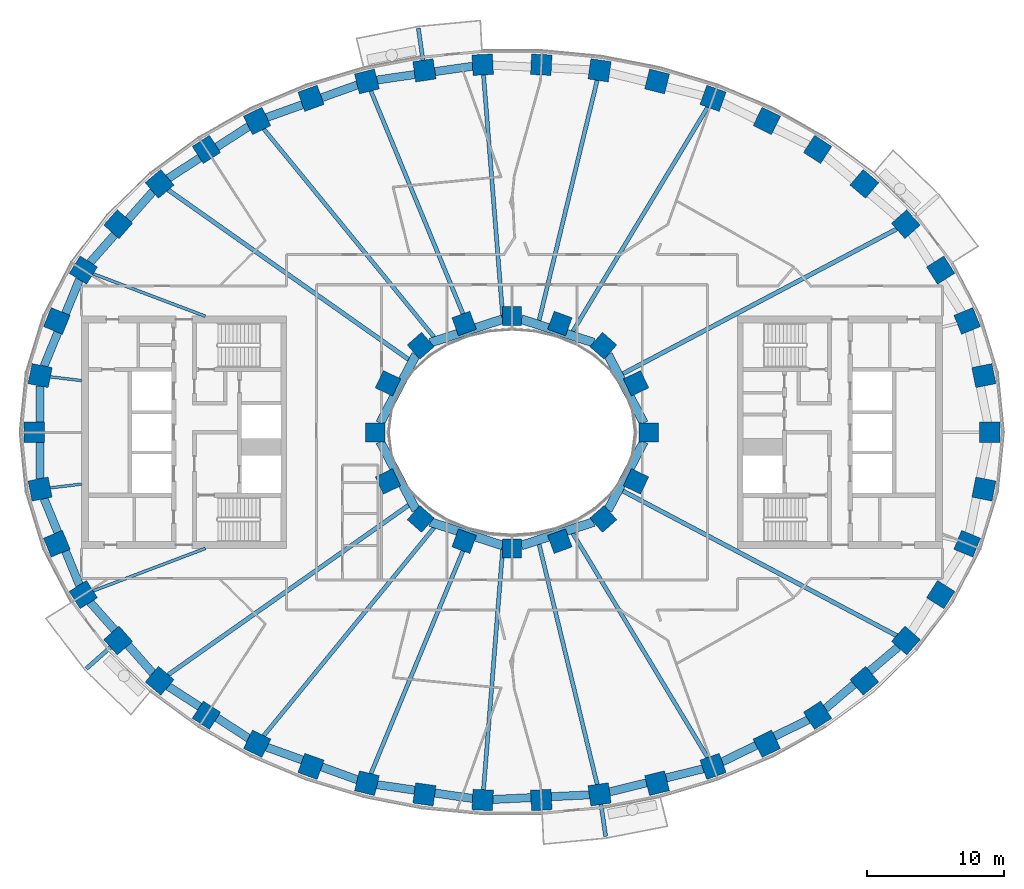
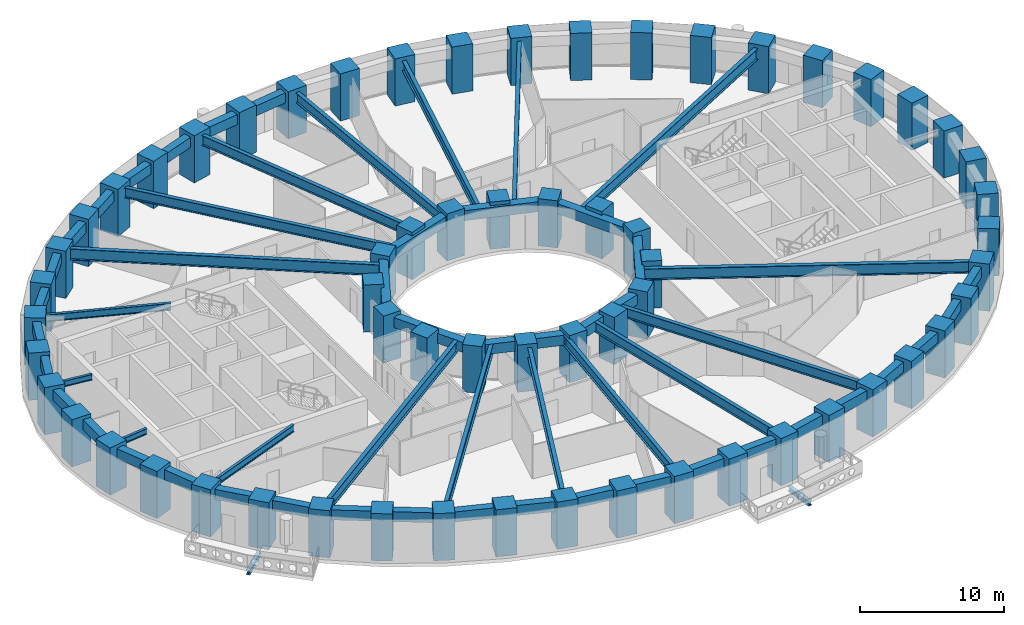
# One storey, part 1 of 16: 62 columns, 44 beams.
"""IFC4 building model written with IfcOpenShell, lengths in metres."""

from ifc_helpers import new_model, si_unit, direction, frame, origin, origin_2d, place, context, subcontext, project, spatial, rectangle, i_section, extrude, material, material_profile, profile_set, type_object, element, save


model = new_model("IFC4")

# Units and contexts
model_context = context("Model", 3, precision=1e-05, world=origin(), true_north=direction((0.0, 1.0)))
body_context = subcontext(model_context, "Body", "Model", "MODEL_VIEW")
ifc_project = project(units=[si_unit("LENGTHUNIT", "METRE"), si_unit("AREAUNIT", "SQUARE_METRE"), si_unit("VOLUMEUNIT", "CUBIC_METRE"), si_unit("PLANEANGLEUNIT", "RADIAN"), si_unit("MASSUNIT", "GRAM", prefix="KILO")], contexts=[model_context])

# Site, building, storey
site_placement = place(None, origin())
site = spatial("IfcSite", under=ifc_project, at=site_placement, CompositionType="ELEMENT")
building_placement = place(site_placement, origin())
building = spatial("IfcBuilding", under=site, at=building_placement, Name="Noorbagh Ring Tower", CompositionType="ELEMENT")
storey_placement = place(building_placement, frame((0.0, 0.0, 42.5)))
storey = spatial("IfcBuildingStorey", under=building, at=storey_placement, Name="L08", CompositionType="ELEMENT", Elevation=42.5)

# Columns
ifc_material_1 = material(Name="Concrete C70/85", Category="concrete")
ifc_material_profile_1 = material_profile(ifc_material_1, rectangle(XDim=1.5, YDim=1.5, at=origin_2d()), Name="RC1500x1500")
ifc_profile_set_1 = profile_set([ifc_material_profile_1], Name="Concrete C70/85")
column_type_1 = type_object("IfcColumnType", Name="STR-COL-RC1500x1500-C70-85", PredefinedType="COLUMN", material=ifc_profile_set_1)
for number, where, z_axis, x_axis, name in (
    (1, (34.944580078125, 0.0, 0.0), (0.0, 0.0, 1.0), (0.0, 1.0, 0.0), "L08/col/R1-01"),
    (2, (34.52685546875, 4.150634765625, 0.0), (0.0, 0.0, 1.0), (-0.19723040178, 0.9803571638, 0.0), "L08/col/R1-02"),
    (3, (33.30517578125, 8.1494140625, 0.0), (0.0, 0.0, 1.0), (-0.378989499959, 0.925400971969, 0.0), "L08/col/R1-03"),
    (4, (31.364990234375, 11.87109375, 0.0), (0.0, 0.0, 1.0), (-0.535190403059, 0.844731455833, 0.0), "L08/col/R1-04"),
    (5, (28.81884765625, 15.23046875, 0.0), (0.0, 0.0, 1.0), (-0.662635642662, 0.748941923699, 0.0), "L08/col/R1-05"),
    (6, (25.78271484375, 18.180419921875, 0.0), (0.0, 0.0, 1.0), (-0.763035199656, 0.646356932419, 0.0), "L08/col/R1-06"),
    (7, (22.362060546875, 20.699951171875, 0.0), (0.0, 0.0, 1.0), (-0.840247639643, 0.542202825586, 0.0), "L08/col/R1-07"),
    (8, (18.646240234375, 22.785400390625, 0.0), (0.0, 0.0, 1.0), (-0.898399080868, 0.439180021741, 0.0), "L08/col/R1-08"),
    (9, (14.70947265625, 24.44091796875, 0.0), (0.0, 0.0, 1.0), (-0.941024726094, 0.338337797003, 0.0), "L08/col/R1-09"),
    (10, (10.61328125, 25.673583984375, 0.0), (0.0, 0.0, 1.0), (-0.970829360981, 0.239771457553, 0.0), "L08/col/R1-10"),
    (11, (6.4091796875, 26.49072265625, 0.0), (0.0, 0.0, 1.0), (-0.989713114048, 0.143066249975, 0.0), "L08/col/R1-11"),
    (12, (2.14306640625, 26.89794921875, 0.0), (0.0, 0.0, 1.0), (-0.998868731212, 0.047552684538, 0.0), "L08/col/R1-12"),
    (13, (-2.14306640625, 26.89794921875, 0.0), (0.0, 0.0, 1.0), (-0.998868731212, -0.047552684538, 0.0), "L08/col/R1-13"),
    (14, (-6.4091796875, 26.49072265625, 0.0), (0.0, 0.0, 1.0), (-0.989713114048, -0.143066249975, 0.0), "L08/col/R1-14"),
    (15, (-10.61328125, 25.673583984375, 0.0), (0.0, 0.0, 1.0), (-0.970829360981, -0.239771457553, 0.0), "L08/col/R1-15"),
    (16, (-14.70947265625, 24.44091796875, 0.0), (0.0, 0.0, 1.0), (-0.941024726094, -0.338337797003, 0.0), "L08/col/R1-16"),
    (17, (-18.646240234375, 22.785400390625, 0.0), (0.0, 0.0, 1.0), (-0.898399080868, -0.439180021741, 0.0), "L08/col/R1-17"),
    (18, (-22.362060546875, 20.699951171875, 0.0), (0.0, 0.0, 1.0), (-0.840247639643, -0.542202825586, 0.0), "L08/col/R1-18"),
    (19, (-25.78271484375, 18.180419921875, 0.0), (0.0, 0.0, 1.0), (-0.763035199656, -0.646356932419, 0.0), "L08/col/R1-19"),
    (20, (-28.81884765625, 15.23046875, 0.0), (0.0, 0.0, 1.0), (-0.662635642662, -0.748941923699, 0.0), "L08/col/R1-20"),
    (21, (-31.364990234375, 11.87109375, 0.0), (0.0, 0.0, 1.0), (-0.535190403059, -0.844731455833, 0.0), "L08/col/R1-21"),
    (22, (-33.30517578125, 8.1494140625, 0.0), (0.0, 0.0, 1.0), (-0.378989499959, -0.925400971969, 0.0), "L08/col/R1-22"),
    (23, (-34.52685546875, 4.150634765625, 0.0), (0.0, 0.0, 1.0), (-0.19723040178, -0.9803571638, 0.0), "L08/col/R1-23"),
    (24, (-34.944580078125, 0.0, 0.0), (0.0, 0.0, 1.0), (0.0, -1.0, 0.0), "L08/col/R1-24"),
    (25, (-34.52685546875, -4.150634765625, 0.0), (0.0, 0.0, 1.0), (0.19723040178, -0.9803571638, 0.0), "L08/col/R1-25"),
    (26, (-33.30517578125, -8.1494140625, 0.0), (0.0, 0.0, 1.0), (0.378989499959, -0.925400971969, 0.0), "L08/col/R1-26"),
    (27, (-31.364990234375, -11.87109375, 0.0), (0.0, 0.0, 1.0), (0.535190403059, -0.844731455833, 0.0), "L08/col/R1-27"),
    (28, (-28.81884765625, -15.23046875, 0.0), (0.0, 0.0, 1.0), (0.662635642662, -0.748941923699, 0.0), "L08/col/R1-28"),
    (29, (-25.78271484375, -18.180419921875, 0.0), (0.0, 0.0, 1.0), (0.763035199656, -0.646356932419, 0.0), "L08/col/R1-29"),
    (30, (-22.362060546875, -20.699951171875, 0.0), (0.0, 0.0, 1.0), (0.840247639643, -0.542202825586, 0.0), "L08/col/R1-30"),
    (31, (-18.646240234375, -22.785400390625, 0.0), (0.0, 0.0, 1.0), (0.898399080868, -0.439180021741, 0.0), "L08/col/R1-31"),
    (32, (-14.70947265625, -24.44091796875, 0.0), (0.0, 0.0, 1.0), (0.941024726094, -0.338337797003, 0.0), "L08/col/R1-32"),
    (33, (-10.61328125, -25.673583984375, 0.0), (0.0, 0.0, 1.0), (0.970829360981, -0.239771457553, 0.0), "L08/col/R1-33"),
    (34, (-6.4091796875, -26.49072265625, 0.0), (0.0, 0.0, 1.0), (0.989713114048, -0.143066249975, 0.0), "L08/col/R1-34"),
    (35, (-2.14306640625, -26.89794921875, 0.0), (0.0, 0.0, 1.0), (0.998868731212, -0.047552684538, 0.0), "L08/col/R1-35"),
    (36, (2.14306640625, -26.89794921875, 0.0), (0.0, 0.0, 1.0), (0.998868731212, 0.047552684538, 0.0), "L08/col/R1-36"),
    (37, (6.4091796875, -26.49072265625, 0.0), (0.0, 0.0, 1.0), (0.989713114048, 0.143066249975, 0.0), "L08/col/R1-37"),
    (38, (10.61328125, -25.673583984375, 0.0), (0.0, 0.0, 1.0), (0.970829360981, 0.239771457553, 0.0), "L08/col/R1-38"),
    (39, (14.70947265625, -24.44091796875, 0.0), (0.0, 0.0, 1.0), (0.941024726094, 0.338337797003, 0.0), "L08/col/R1-39"),
    (40, (18.646240234375, -22.785400390625, 0.0), (0.0, 0.0, 1.0), (0.898399080868, 0.439180021741, 0.0), "L08/col/R1-40"),
    (41, (22.362060546875, -20.699951171875, 0.0), (0.0, 0.0, 1.0), (0.840247639643, 0.542202825586, 0.0), "L08/col/R1-41"),
    (42, (25.78271484375, -18.180419921875, 0.0), (0.0, 0.0, 1.0), (0.763035199656, 0.646356932419, 0.0), "L08/col/R1-42"),
    (43, (28.81884765625, -15.23046875, 0.0), (0.0, 0.0, 1.0), (0.662635642662, 0.748941923699, 0.0), "L08/col/R1-43"),
    (44, (31.364990234375, -11.87109375, 0.0), (0.0, 0.0, 1.0), (0.535190403059, 0.844731455833, 0.0), "L08/col/R1-44"),
    (45, (33.30517578125, -8.1494140625, 0.0), (0.0, 0.0, 1.0), (0.378989499959, 0.925400971969, 0.0), "L08/col/R1-45"),
    (46, (34.52685546875, -4.150634765625, 0.0), (0.0, 0.0, 1.0), (0.19723040178, 0.9803571638, 0.0), "L08/col/R1-46"),
):
    element("IfcColumn", number, at=place(storey_placement, frame(where, z_axis=z_axis, x_axis=x_axis)), inside=storey, type_object=column_type_1, Name=name, PredefinedType="COLUMN", context=body_context, shape_type="SweptSolid", body=[
        extrude(rectangle(XDim=1.5, YDim=1.5, at=origin_2d()), origin(), (0.0, 0.0, 1.0), 4.0),
    ])
ifc_material_2 = material(Name="Concrete C70/85", Category="concrete")
ifc_material_profile_2 = material_profile(ifc_material_2, rectangle(XDim=1.39990234375, YDim=1.39990234375, at=origin_2d()), Name="RC1400x1400")
ifc_profile_set_2 = profile_set([ifc_material_profile_2], Name="Concrete C70/85")
column_type_2 = type_object("IfcColumnType", Name="STR-ICOL-RC1400x1400-C70-85", PredefinedType="COLUMN", material=ifc_profile_set_2)
for number, where, z_axis, x_axis, name in (
    (47, (10.00830078125, 0.0, 0.0), (0.0, 0.0, 1.0), (0.0, 1.0, 0.0), "L08/col/IR2-W01"),
    (48, (9.07568359375, 3.58837890625, 0.0), (0.0, 0.0, 1.0), (-0.428666979171, 0.903462573087, 0.0), "L08/col/IR2-W03"),
    (49, (6.68212890625, 6.333740234375, 0.0), (0.0, 0.0, 1.0), (-0.75102249095, 0.660276622399, 0.0), "L08/col/IR2-W05"),
    (50, (3.5009765625, 7.967041015625, 0.0), (0.0, 0.0, 1.0), (-0.939019578916, 0.343863679984, 0.0), "L08/col/IR2-W07"),
    (51, (0.0, 8.5029296875, 0.0), (0.0, 0.0, 1.0), (-1.0, 0.0, 0.0), "L08/col/IR2-W09"),
    (52, (-3.5009765625, 7.967041015625, 0.0), (0.0, 0.0, 1.0), (-0.939019578916, -0.343863679984, 0.0), "L08/col/IR2-W11"),
    (53, (-6.68212890625, 6.333740234375, 0.0), (0.0, 0.0, 1.0), (-0.75102249095, -0.660276622399, 0.0), "L08/col/IR2-W13"),
    (54, (-9.07568359375, 3.58837890625, 0.0), (0.0, 0.0, 1.0), (-0.428666979171, -0.903462573087, 0.0), "L08/col/IR2-W15"),
    (55, (-10.00830078125, 0.0, 0.0), (0.0, 0.0, 1.0), (0.0, -1.0, 0.0), "L08/col/IR2-W17"),
    (56, (-9.07568359375, -3.58837890625, 0.0), (0.0, 0.0, 1.0), (0.428666979171, -0.903462573087, 0.0), "L08/col/IR2-W19"),
    (57, (-6.68212890625, -6.333740234375, 0.0), (0.0, 0.0, 1.0), (0.75102249095, -0.660276622399, 0.0), "L08/col/IR2-W21"),
    (58, (-3.5009765625, -7.967041015625, 0.0), (0.0, 0.0, 1.0), (0.939019578916, -0.343863679984, 0.0), "L08/col/IR2-W23"),
    (59, (0.0, -8.5029296875, 0.0), (0.0, 0.0, 1.0), (1.0, 0.0, 0.0), "L08/col/IR2-W25"),
    (60, (3.5009765625, -7.967041015625, 0.0), (0.0, 0.0, 1.0), (0.939019578916, 0.343863679984, 0.0), "L08/col/IR2-W27"),
    (61, (6.68212890625, -6.333740234375, 0.0), (0.0, 0.0, 1.0), (0.75102249095, 0.660276622399, 0.0), "L08/col/IR2-W29"),
    (62, (9.07568359375, -3.58837890625, 0.0), (0.0, 0.0, 1.0), (0.428666979171, 0.903462573087, 0.0), "L08/col/IR2-W31"),
):
    element("IfcColumn", number, at=place(storey_placement, frame(where, z_axis=z_axis, x_axis=x_axis)), inside=storey, type_object=column_type_2, Name=name, PredefinedType="COLUMN", context=body_context, shape_type="SweptSolid", body=[
        extrude(rectangle(XDim=1.39990234375, YDim=1.39990234375, at=origin_2d()), origin(), (0.0, 0.0, 1.0), 4.0),
    ])

# Beams
ifc_material_3 = material(Name="Steel S355", Category="steel")
ifc_material_profile_3 = material_profile(ifc_material_3, i_section(OverallWidth=0.300048828125, OverallDepth=0.39990234375, WebThickness=0.013427734375, FlangeThickness=0.02392578125, FilletRadius=0.027099609375, at=origin_2d()), Name="HEB400")
ifc_profile_set_3 = profile_set([ifc_material_profile_3], Name="Steel S355")
beam_type_1 = type_object("IfcBeamType", Name="STR-BALCONY-BRACKET-HEB400", PredefinedType="BEAM", material=ifc_profile_set_3)
beam_1_placement = place(storey_placement, frame((-6.513671875, 27.21337890625, -0.5), z_axis=(-0.143062628068, 0.989713637599, 0.0), x_axis=(-0.989713637599, -0.143062628068, 0.0)))
element("IfcBeam", 63, at=beam_1_placement, inside=storey, type_object=beam_type_1, Name="Balcony bracket beam BN04", PredefinedType="BEAM", context=body_context, shape_type="SweptSolid", body=[
    extrude(i_section(OverallWidth=0.300048828125, OverallDepth=0.39990234375, WebThickness=0.013427734375, FlangeThickness=0.02392578125, FilletRadius=0.027099609375, at=origin_2d()), origin(), (0.0, 0.0, 1.0), 2.373779296875),
])
beam_2_placement = place(storey_placement, frame((-29.36572265625, -15.714111328125, -0.5), z_axis=(-0.749031813993, -0.662534030542, 0.0), x_axis=(0.662534030542, -0.749031813993, 0.0)))
element("IfcBeam", 64, at=beam_2_placement, inside=storey, type_object=beam_type_1, Name="Balcony bracket beam BS01", PredefinedType="BEAM", context=body_context, shape_type="SweptSolid", body=[
    extrude(i_section(OverallWidth=0.300048828125, OverallDepth=0.39990234375, WebThickness=0.013427734375, FlangeThickness=0.02392578125, FilletRadius=0.027099609375, at=origin_2d()), origin(), (0.0, 0.0, 1.0), 2.37939453125),
])
beam_3_placement = place(storey_placement, frame((6.513671875, -27.21337890625, -0.5), z_axis=(0.143062628068, -0.989713637599, 0.0), x_axis=(0.989713637599, 0.143062628068, 0.0)))
element("IfcBeam", 65, at=beam_3_placement, inside=storey, type_object=beam_type_1, Name="Balcony bracket beam BS04", PredefinedType="BEAM", context=body_context, shape_type="SweptSolid", body=[
    extrude(i_section(OverallWidth=0.300048828125, OverallDepth=0.39990234375, WebThickness=0.013427734375, FlangeThickness=0.02392578125, FilletRadius=0.027099609375, at=origin_2d()), origin(), (0.0, 0.0, 1.0), 2.373779296875),
])
ifc_material_4 = material(Name="Steel S355", Category="steel")
ifc_material_profile_4 = material_profile(ifc_material_4, i_section(OverallWidth=0.199951171875, OverallDepth=0.5, WebThickness=0.01025390625, FlangeThickness=0.01611328125, FilletRadius=0.02099609375, at=origin_2d()), Name="IPE500")
ifc_profile_set_4 = profile_set([ifc_material_profile_4], Name="Steel S355")
beam_type_2 = type_object("IfcBeamType", Name="STR-RAD-IPE500", PredefinedType="BEAM", material=ifc_profile_set_4)
for number, where, z_axis, x_axis, name in (
    (66, (-33.799560546875, 4.063232421875, 3.449951171875), (0.992852090588, -0.119351272363, 0.0), (0.119351272363, 0.992852090588, 0.0), "L08/bm/RD23"),
    (67, (-33.799560546875, -4.063232421875, 3.449951171875), (0.992852090588, 0.119351272363, 0.0), (-0.119351272363, 0.992852090588, 0.0), "L08/bm/RD25"),
):
    element("IfcBeam", number, at=place(storey_placement, frame(where, z_axis=z_axis, x_axis=x_axis)), inside=storey, type_object=beam_type_2, Name=name, PredefinedType="BEAM", context=body_context, shape_type="SweptSolid", body=[
        extrude(i_section(OverallWidth=0.199951171875, OverallDepth=0.5, WebThickness=0.01025390625, FlangeThickness=0.01611328125, FilletRadius=0.02099609375, at=origin_2d()), origin(), (0.0, 0.0, 1.0), 2.3359375),
    ])
ifc_material_5 = material(Name="Steel S355", Category="steel")
ifc_material_profile_5 = material_profile(ifc_material_5, i_section(OverallWidth=0.219970703125, OverallDepth=0.60009765625, WebThickness=0.011962890625, FlangeThickness=0.01904296875, FilletRadius=0.02392578125, at=origin_2d()), Name="IPE600")
ifc_profile_set_5 = profile_set([ifc_material_profile_5], Name="Steel S355")
beam_type_3 = type_object("IfcBeamType", Name="STR-RAD-IPE600", PredefinedType="BEAM", material=ifc_profile_set_5)
for number, where, z_axis, x_axis, name in (
    (68, (-30.66748046875, 11.60693359375, 3.39990234375), (0.93525621499, -0.353971485184, 0.0), (0.353971485184, 0.93525621499, 0.0), "L08/bm/RD21"),
    (69, (-30.66748046875, -11.60693359375, 3.39990234375), (0.93525621499, 0.353971485184, 0.0), (-0.353971485184, 0.93525621499, 0.0), "L08/bm/RD27"),
):
    element("IfcBeam", number, at=place(storey_placement, frame(where, z_axis=z_axis, x_axis=x_axis)), inside=storey, type_object=beam_type_3, Name=name, PredefinedType="BEAM", context=body_context, shape_type="SweptSolid", body=[
        extrude(i_section(OverallWidth=0.219970703125, OverallDepth=0.60009765625, WebThickness=0.011962890625, FlangeThickness=0.01904296875, FilletRadius=0.02392578125, at=origin_2d()), origin(), (0.0, 0.0, 1.0), 8.79736328125),
    ])
ifc_material_6 = material(Name="Steel S355", Category="steel")
ifc_material_profile_6 = material_profile(ifc_material_6, i_section(OverallWidth=0.300048828125, OverallDepth=0.85009765625, WebThickness=0.013916015625, FlangeThickness=0.028076171875, at=origin_2d()), Name="PG850x300x14x28")
ifc_profile_set_6 = profile_set([ifc_material_profile_6], Name="Steel S355")
beam_type_4 = type_object("IfcBeamType", Name="STR-RAD-PG850x300x14x28", PredefinedType="BEAM", material=ifc_profile_set_6)
beam_4_placement = place(storey_placement, frame((14.325439453125, 23.802734375, 3.27490234375), z_axis=(-0.515656740038, -0.856795265191, 0.0), x_axis=(0.856795265191, -0.515656740038, 0.0)))
element("IfcBeam", 70, at=beam_4_placement, inside=storey, type_object=beam_type_4, Name="L08/bm/RD09", PredefinedType="BEAM", context=body_context, shape_type="SweptSolid", body=[
    extrude(i_section(OverallWidth=0.300048828125, OverallDepth=0.85009765625, WebThickness=0.013916015625, FlangeThickness=0.028076171875, at=origin_2d()), origin(), (0.0, 0.0, 1.0), 19.16552734375),
])
beam_5_placement = place(storey_placement, frame((6.23681640625, 25.778076171875, 3.27490234375), z_axis=(-0.235164261049, -0.971955642159, 0.0), x_axis=(0.971955642159, -0.235164261049, 0.0)))
element("IfcBeam", 71, at=beam_5_placement, inside=storey, type_object=beam_type_4, Name="L08/bm/RD11", PredefinedType="BEAM", context=body_context, shape_type="SweptSolid", body=[
    extrude(i_section(OverallWidth=0.300048828125, OverallDepth=0.85009765625, WebThickness=0.013916015625, FlangeThickness=0.028076171875, at=origin_2d()), origin(), (0.0, 0.0, 1.0), 18.104736328125),
])
beam_6_placement = place(storey_placement, frame((-2.085205078125, 26.169921875, 3.27490234375), z_axis=(0.079431823064, -0.996840300893, 0.0), x_axis=(0.996840300893, 0.079431823064, 0.0)))
element("IfcBeam", 72, at=beam_6_placement, inside=storey, type_object=beam_type_4, Name="L08/bm/RD13", PredefinedType="BEAM", context=body_context, shape_type="SweptSolid", body=[
    extrude(i_section(OverallWidth=0.300048828125, OverallDepth=0.85009765625, WebThickness=0.013916015625, FlangeThickness=0.028076171875, at=origin_2d()), origin(), (0.0, 0.0, 1.0), 18.05126953125),
])
beam_7_placement = place(storey_placement, frame((-10.3310546875, 24.9912109375, 3.27490234375), z_axis=(0.382027192106, -0.924151083152, 0.0), x_axis=(0.924151083152, 0.382027192106, 0.0)))
element("IfcBeam", 73, at=beam_7_placement, inside=storey, type_object=beam_type_4, Name="L08/bm/RD15", PredefinedType="BEAM", context=body_context, shape_type="SweptSolid", body=[
    extrude(i_section(OverallWidth=0.300048828125, OverallDepth=0.85009765625, WebThickness=0.013916015625, FlangeThickness=0.028076171875, at=origin_2d()), origin(), (0.0, 0.0, 1.0), 18.624267578125),
])
for number, where, z_axis, x_axis, name in (
    (74, (-18.1708984375, 22.20458984375, 3.27490234375), (0.633309388091, -0.773898713628, 0.0), (0.773898713628, 0.633309388091, 0.0), "L08/bm/RD17"),
    (75, (-18.1708984375, -22.20458984375, 3.27490234375), (0.633309388091, 0.773898713628, 0.0), (-0.773898713628, 0.633309388091, 0.0), "L08/bm/RD31"),
):
    element("IfcBeam", number, at=place(storey_placement, frame(where, z_axis=z_axis, x_axis=x_axis)), inside=storey, type_object=beam_type_4, Name=name, PredefinedType="BEAM", context=body_context, shape_type="SweptSolid", body=[
        extrude(i_section(OverallWidth=0.300048828125, OverallDepth=0.85009765625, WebThickness=0.013916015625, FlangeThickness=0.028076171875, at=origin_2d()), origin(), (0.0, 0.0, 1.0), 19.68212890625),
    ])
beam_8_placement = place(storey_placement, frame((-10.3310546875, -24.9912109375, 3.27490234375), z_axis=(0.382027192106, 0.924151083152, 0.0), x_axis=(-0.924151083152, 0.382027192106, 0.0)))
element("IfcBeam", 76, at=beam_8_placement, inside=storey, type_object=beam_type_4, Name="L08/bm/RD33", PredefinedType="BEAM", context=body_context, shape_type="SweptSolid", body=[
    extrude(i_section(OverallWidth=0.300048828125, OverallDepth=0.85009765625, WebThickness=0.013916015625, FlangeThickness=0.028076171875, at=origin_2d()), origin(), (0.0, 0.0, 1.0), 18.624267578125),
])
beam_9_placement = place(storey_placement, frame((-2.085205078125, -26.169921875, 3.27490234375), z_axis=(0.079431823064, 0.996840300893, 0.0), x_axis=(-0.996840300893, 0.079431823064, 0.0)))
element("IfcBeam", 77, at=beam_9_placement, inside=storey, type_object=beam_type_4, Name="L08/bm/RD35", PredefinedType="BEAM", context=body_context, shape_type="SweptSolid", body=[
    extrude(i_section(OverallWidth=0.300048828125, OverallDepth=0.85009765625, WebThickness=0.013916015625, FlangeThickness=0.028076171875, at=origin_2d()), origin(), (0.0, 0.0, 1.0), 18.05126953125),
])
beam_10_placement = place(storey_placement, frame((6.23681640625, -25.778076171875, 3.27490234375), z_axis=(-0.235164261049, 0.971955642159, 0.0), x_axis=(-0.971955642159, -0.235164261049, 0.0)))
element("IfcBeam", 78, at=beam_10_placement, inside=storey, type_object=beam_type_4, Name="L08/bm/RD37", PredefinedType="BEAM", context=body_context, shape_type="SweptSolid", body=[
    extrude(i_section(OverallWidth=0.300048828125, OverallDepth=0.85009765625, WebThickness=0.013916015625, FlangeThickness=0.028076171875, at=origin_2d()), origin(), (0.0, 0.0, 1.0), 18.104736328125),
])
beam_11_placement = place(storey_placement, frame((14.325439453125, -23.802734375, 3.27490234375), z_axis=(-0.515656740038, 0.856795265191, 0.0), x_axis=(-0.856795265191, -0.515656740038, 0.0)))
element("IfcBeam", 79, at=beam_11_placement, inside=storey, type_object=beam_type_4, Name="L08/bm/RD39", PredefinedType="BEAM", context=body_context, shape_type="SweptSolid", body=[
    extrude(i_section(OverallWidth=0.300048828125, OverallDepth=0.85009765625, WebThickness=0.013916015625, FlangeThickness=0.028076171875, at=origin_2d()), origin(), (0.0, 0.0, 1.0), 19.16552734375),
])
ifc_material_7 = material(Name="Steel S355", Category="steel")
ifc_material_profile_7 = material_profile(ifc_material_7, i_section(OverallWidth=0.320068359375, OverallDepth=0.949951171875, WebThickness=0.01611328125, FlangeThickness=0.030029296875, at=origin_2d()), Name="PG950x320x16x30")
ifc_profile_set_7 = profile_set([ifc_material_profile_7], Name="Steel S355")
beam_type_5 = type_object("IfcBeamType", Name="STR-RAD-PG950x320x16x30", PredefinedType="BEAM", material=ifc_profile_set_7)
beam_12_placement = place(storey_placement, frame((28.154052734375, 14.879150390625, 3.22509765625), z_axis=(-0.88412365795, -0.467252990844, 0.0), x_axis=(0.467252990844, -0.88412365795, 0.0)))
element("IfcBeam", 80, at=beam_12_placement, inside=storey, type_object=beam_type_5, Name="L08/bm/RD05", PredefinedType="BEAM", context=body_context, shape_type="SweptSolid", body=[
    extrude(i_section(OverallWidth=0.320068359375, OverallDepth=0.949951171875, WebThickness=0.01611328125, FlangeThickness=0.030029296875, at=origin_2d()), origin(), (0.0, 0.0, 1.0), 22.67822265625),
])
for number, where, z_axis, x_axis, name in (
    (81, (-25.165771484375, 17.745361328125, 3.22509765625), (0.817254439709, -0.576277000041, 0.0), (0.576277000041, 0.817254439709, 0.0), "L08/bm/RD19"),
    (82, (-25.165771484375, -17.745361328125, 3.22509765625), (0.817254439709, 0.576277000041, 0.0), (-0.576277000041, 0.817254439709, 0.0), "L08/bm/RD29"),
):
    element("IfcBeam", number, at=place(storey_placement, frame(where, z_axis=z_axis, x_axis=x_axis)), inside=storey, type_object=beam_type_5, Name=name, PredefinedType="BEAM", context=body_context, shape_type="SweptSolid", body=[
        extrude(i_section(OverallWidth=0.320068359375, OverallDepth=0.949951171875, WebThickness=0.01611328125, FlangeThickness=0.030029296875, at=origin_2d()), origin(), (0.0, 0.0, 1.0), 21.548095703125),
    ])
beam_13_placement = place(storey_placement, frame((28.154052734375, -14.879150390625, 3.22509765625), z_axis=(-0.88412365795, 0.467252990844, 0.0), x_axis=(-0.467252990844, -0.88412365795, 0.0)))
element("IfcBeam", 83, at=beam_13_placement, inside=storey, type_object=beam_type_5, Name="L08/bm/RD43", PredefinedType="BEAM", context=body_context, shape_type="SweptSolid", body=[
    extrude(i_section(OverallWidth=0.320068359375, OverallDepth=0.949951171875, WebThickness=0.01611328125, FlangeThickness=0.030029296875, at=origin_2d()), origin(), (0.0, 0.0, 1.0), 22.67822265625),
])
ifc_material_8 = material(Name="Concrete C40/50", Category="concrete")
ifc_material_profile_8 = material_profile(ifc_material_8, rectangle(XDim=0.64990234375, YDim=0.85009765625, at=origin_2d()), Name="RC650x850")
ifc_profile_set_8 = profile_set([ifc_material_profile_8], Name="Concrete C40/50")
beam_type_6 = type_object("IfcBeamType", Name="STR-RB-RC650x850-C40-50", PredefinedType="BEAM", material=ifc_profile_set_8)
beam_14_placement = place(storey_placement, frame((9.650146484375, 0.682373046875, 3.27490234375), z_axis=(-0.464950685644, 0.885336580019, 0.0), x_axis=(-0.885336580019, -0.464950685644, 0.0)))
element("IfcBeam", 84, at=beam_14_placement, inside=storey, type_object=beam_type_6, Name="L08/bm/RG01", PredefinedType="BEAM", context=body_context, shape_type="SweptSolid", body=[
    extrude(rectangle(XDim=0.64990234375, YDim=0.85009765625, at=origin_2d()), origin(), (0.0, 0.0, 1.0), 5.653564453125),
])
for number, where, z_axis, x_axis, name in (
    (85, (5.97607421875, 6.56298828125, 3.27490234375), (-0.951149054478, 0.3087320459, 0.0), (-0.3087320459, -0.951149054478, 0.0), "L08/bm/RG03"),
    (86, (-0.680908203125, 8.28173828125, 3.27490234375), (-0.951149054478, -0.3087320459, 0.0), (0.3087320459, -0.951149054478, 0.0), "L08/bm/RG05"),
):
    element("IfcBeam", number, at=place(storey_placement, frame(where, z_axis=z_axis, x_axis=x_axis)), inside=storey, type_object=beam_type_6, Name=name, PredefinedType="BEAM", context=body_context, shape_type="SweptSolid", body=[
        extrude(rectangle(XDim=0.64990234375, YDim=0.85009765625, at=origin_2d()), origin(), (0.0, 0.0, 1.0), 5.567138671875),
    ])
for number, where, z_axis, x_axis, name in (
    (87, (-7.021484375, 5.687744140625, 3.27490234375), (-0.464950685644, -0.885336580019, 0.0), (0.885336580019, -0.464950685644, 0.0), "L08/bm/RG07"),
    (88, (-9.650146484375, -0.682373046875, 3.27490234375), (0.464950685644, -0.885336580019, 0.0), (0.885336580019, 0.464950685644, 0.0), "L08/bm/RG09"),
):
    element("IfcBeam", number, at=place(storey_placement, frame(where, z_axis=z_axis, x_axis=x_axis)), inside=storey, type_object=beam_type_6, Name=name, PredefinedType="BEAM", context=body_context, shape_type="SweptSolid", body=[
        extrude(rectangle(XDim=0.64990234375, YDim=0.85009765625, at=origin_2d()), origin(), (0.0, 0.0, 1.0), 5.653564453125),
    ])
for number, where, z_axis, x_axis, name in (
    (89, (-5.97607421875, -6.56298828125, 3.27490234375), (0.951149054478, -0.3087320459, 0.0), (0.3087320459, 0.951149054478, 0.0), "L08/bm/RG11"),
    (90, (0.680908203125, -8.28173828125, 3.27490234375), (0.951149054478, 0.3087320459, 0.0), (-0.3087320459, 0.951149054478, 0.0), "L08/bm/RG13"),
):
    element("IfcBeam", number, at=place(storey_placement, frame(where, z_axis=z_axis, x_axis=x_axis)), inside=storey, type_object=beam_type_6, Name=name, PredefinedType="BEAM", context=body_context, shape_type="SweptSolid", body=[
        extrude(rectangle(XDim=0.64990234375, YDim=0.85009765625, at=origin_2d()), origin(), (0.0, 0.0, 1.0), 5.567138671875),
    ])
beam_15_placement = place(storey_placement, frame((7.021484375, -5.687744140625, 3.27490234375), z_axis=(0.464950685644, 0.885336580019, 0.0), x_axis=(-0.885336580019, 0.464950685644, 0.0)))
element("IfcBeam", 91, at=beam_15_placement, inside=storey, type_object=beam_type_6, Name="L08/bm/RG15", PredefinedType="BEAM", context=body_context, shape_type="SweptSolid", body=[
    extrude(rectangle(XDim=0.64990234375, YDim=0.85009765625, at=origin_2d()), origin(), (0.0, 0.0, 1.0), 5.653564453125),
])
ifc_material_9 = material(Name="Concrete C40/50", Category="concrete")
ifc_material_profile_9 = material_profile(ifc_material_9, rectangle(XDim=0.60009765625, YDim=0.85009765625, at=origin_2d()), Name="RC600x850")
ifc_profile_set_9 = profile_set([ifc_material_profile_9], Name="Concrete C40/50")
beam_type_7 = type_object("IfcBeamType", Name="STR-SB-RC600x850-C40-50", PredefinedType="BEAM", material=ifc_profile_set_9)
beam_16_placement = place(storey_placement, frame((-2.869140625, 26.79296875, 3.27490234375), z_axis=(-0.989714712052, -0.14305519476, 0.0), x_axis=(0.14305519476, -0.989714712052, 0.0)))
element("IfcBeam", 92, at=beam_16_placement, inside=storey, type_object=beam_type_7, Name="L08/bm/SP13", PredefinedType="BEAM", context=body_context, shape_type="SweptSolid", body=[
    extrude(rectangle(XDim=0.60009765625, YDim=0.85009765625, at=origin_2d()), origin(), (0.0, 0.0, 1.0), 7.091064453125),
])
beam_17_placement = place(storey_placement, frame((-11.303955078125, 25.42529296875, 3.27490234375), z_axis=(-0.941024719218, -0.338337816127, 0.0), x_axis=(0.338337816127, -0.941024719218, 0.0)))
element("IfcBeam", 93, at=beam_17_placement, inside=storey, type_object=beam_type_7, Name="L08/bm/SP15", PredefinedType="BEAM", context=body_context, shape_type="SweptSolid", body=[
    extrude(rectangle(XDim=0.60009765625, YDim=0.85009765625, at=origin_2d()), origin(), (0.0, 0.0, 1.0), 7.06787109375),
])
beam_18_placement = place(storey_placement, frame((-19.26416015625, 22.38671875, 3.27490234375), z_axis=(-0.840248616013, -0.54220131251, 0.0), x_axis=(0.54220131251, -0.840248616013, 0.0)))
element("IfcBeam", 94, at=beam_18_placement, inside=storey, type_object=beam_type_7, Name="L08/bm/SP17", PredefinedType="BEAM", context=body_context, shape_type="SweptSolid", body=[
    extrude(rectangle(XDim=0.60009765625, YDim=0.85009765625, at=origin_2d()), origin(), (0.0, 0.0, 1.0), 7.021728515625),
])
beam_19_placement = place(storey_placement, frame((-26.271728515625, 17.627685546875, 3.27490234375), z_axis=(-0.662649709282, -0.748929477847, 0.0), x_axis=(0.748929477847, -0.662649709282, 0.0)))
element("IfcBeam", 95, at=beam_19_placement, inside=storey, type_object=beam_type_7, Name="L08/bm/SP19", PredefinedType="BEAM", context=body_context, shape_type="SweptSolid", body=[
    extrude(rectangle(XDim=0.60009765625, YDim=0.85009765625, at=origin_2d()), origin(), (0.0, 0.0, 1.0), 6.94677734375),
])
beam_20_placement = place(storey_placement, frame((-31.646240234375, 11.1845703125, 3.27490234375), z_axis=(-0.378965542347, -0.925410783228, 0.0), x_axis=(0.925410783228, -0.378965542347, 0.0)))
element("IfcBeam", 96, at=beam_20_placement, inside=storey, type_object=beam_type_7, Name="L08/bm/SP21", PredefinedType="BEAM", context=body_context, shape_type="SweptSolid", body=[
    extrude(rectangle(XDim=0.60009765625, YDim=0.85009765625, at=origin_2d()), origin(), (0.0, 0.0, 1.0), 6.857177734375),
])
beam_21_placement = place(storey_placement, frame((-34.52685546875, 3.40576171875, 3.27490234375), z_axis=(0.0, -1.0, 0.0), x_axis=(1.0, 0.0, 0.0)))
element("IfcBeam", 97, at=beam_21_placement, inside=storey, type_object=beam_type_7, Name="L08/bm/SP23", PredefinedType="BEAM", context=body_context, shape_type="SweptSolid", body=[
    extrude(rectangle(XDim=0.60009765625, YDim=0.85009765625, at=origin_2d()), origin(), (0.0, 0.0, 1.0), 6.8115234375),
])
beam_22_placement = place(storey_placement, frame((-34.244873046875, -4.8388671875, 3.27490234375), z_axis=(0.378965542347, -0.925410783228, 0.0), x_axis=(0.925410783228, 0.378965542347, 0.0)))
element("IfcBeam", 98, at=beam_22_placement, inside=storey, type_object=beam_type_7, Name="L08/bm/SP25", PredefinedType="BEAM", context=body_context, shape_type="SweptSolid", body=[
    extrude(rectangle(XDim=0.60009765625, YDim=0.85009765625, at=origin_2d()), origin(), (0.0, 0.0, 1.0), 6.857177734375),
])
beam_23_placement = place(storey_placement, frame((-30.875, -12.425048828125, 3.27490234375), z_axis=(0.662649709282, -0.748929477847, 0.0), x_axis=(0.748929477847, 0.662649709282, 0.0)))
element("IfcBeam", 99, at=beam_23_placement, inside=storey, type_object=beam_type_7, Name="L08/bm/SP27", PredefinedType="BEAM", context=body_context, shape_type="SweptSolid", body=[
    extrude(rectangle(XDim=0.60009765625, YDim=0.85009765625, at=origin_2d()), origin(), (0.0, 0.0, 1.0), 6.94677734375),
])
beam_24_placement = place(storey_placement, frame((-25.1640625, -18.57958984375, 3.27490234375), z_axis=(0.840248616013, -0.54220131251, 0.0), x_axis=(0.54220131251, 0.840248616013, 0.0)))
element("IfcBeam", 100, at=beam_24_placement, inside=storey, type_object=beam_type_7, Name="L08/bm/SP29", PredefinedType="BEAM", context=body_context, shape_type="SweptSolid", body=[
    extrude(rectangle(XDim=0.60009765625, YDim=0.85009765625, at=origin_2d()), origin(), (0.0, 0.0, 1.0), 7.021728515625),
])
beam_25_placement = place(storey_placement, frame((-17.955078125, -23.033935546875, 3.27490234375), z_axis=(0.941024719218, -0.338337816127, 0.0), x_axis=(0.338337816127, 0.941024719218, 0.0)))
element("IfcBeam", 101, at=beam_25_placement, inside=storey, type_object=beam_type_7, Name="L08/bm/SP31", PredefinedType="BEAM", context=body_context, shape_type="SweptSolid", body=[
    extrude(rectangle(XDim=0.60009765625, YDim=0.85009765625, at=origin_2d()), origin(), (0.0, 0.0, 1.0), 7.06787109375),
])
beam_26_placement = place(storey_placement, frame((-9.88720703125, -25.778564453125, 3.27490234375), z_axis=(0.989714712052, -0.14305519476, 0.0), x_axis=(0.14305519476, 0.989714712052, 0.0)))
element("IfcBeam", 102, at=beam_26_placement, inside=storey, type_object=beam_type_7, Name="L08/bm/SP33", PredefinedType="BEAM", context=body_context, shape_type="SweptSolid", body=[
    extrude(rectangle(XDim=0.60009765625, YDim=0.85009765625, at=origin_2d()), origin(), (0.0, 0.0, 1.0), 7.091064453125),
])
beam_27_placement = place(storey_placement, frame((-1.41064453125, -26.863037109375, 3.27490234375), z_axis=(0.998868682603, 0.047553705583, 0.0), x_axis=(-0.047553705583, 0.998868682603, 0.0)))
element("IfcBeam", 103, at=beam_27_placement, inside=storey, type_object=beam_type_7, Name="L08/bm/SP35", PredefinedType="BEAM", context=body_context, shape_type="SweptSolid", body=[
    extrude(rectangle(XDim=0.60009765625, YDim=0.85009765625, at=origin_2d()), origin(), (0.0, 0.0, 1.0), 7.09521484375),
])
beam_28_placement = place(storey_placement, frame((7.12158203125, -26.31494140625, 3.27490234375), z_axis=(0.970830070282, 0.23976858559, 0.0), x_axis=(-0.23976858559, 0.970830070282, 0.0)))
element("IfcBeam", 104, at=beam_28_placement, inside=storey, type_object=beam_type_7, Name="L08/bm/SP37", PredefinedType="BEAM", context=body_context, shape_type="SweptSolid", body=[
    extrude(rectangle(XDim=0.60009765625, YDim=0.85009765625, at=origin_2d()), origin(), (0.0, 0.0, 1.0), 7.081787109375),
])
beam_29_placement = place(storey_placement, frame((15.369384765625, -24.1181640625, 3.27490234375), z_axis=(0.898409265653, 0.439159186843, 0.0), x_axis=(-0.439159186843, 0.898409265653, 0.0)))
element("IfcBeam", 105, at=beam_29_placement, inside=storey, type_object=beam_type_7, Name="L08/bm/SP39", PredefinedType="BEAM", context=body_context, shape_type="SweptSolid", body=[
    extrude(rectangle(XDim=0.60009765625, YDim=0.85009765625, at=origin_2d()), origin(), (0.0, 0.0, 1.0), 7.048095703125),
])
beam_30_placement = place(storey_placement, frame((22.923828125, -20.22412109375, 3.27490234375), z_axis=(0.763024386832, 0.646369696922, 0.0), x_axis=(-0.646369696922, 0.763024386832, 0.0)))
element("IfcBeam", 106, at=beam_30_placement, inside=storey, type_object=beam_type_7, Name="L08/bm/SP41", PredefinedType="BEAM", context=body_context, shape_type="SweptSolid", body=[
    extrude(rectangle(XDim=0.60009765625, YDim=0.85009765625, at=origin_2d()), origin(), (0.0, 0.0, 1.0), 6.988037109375),
])

save(model, "model.ifc")
